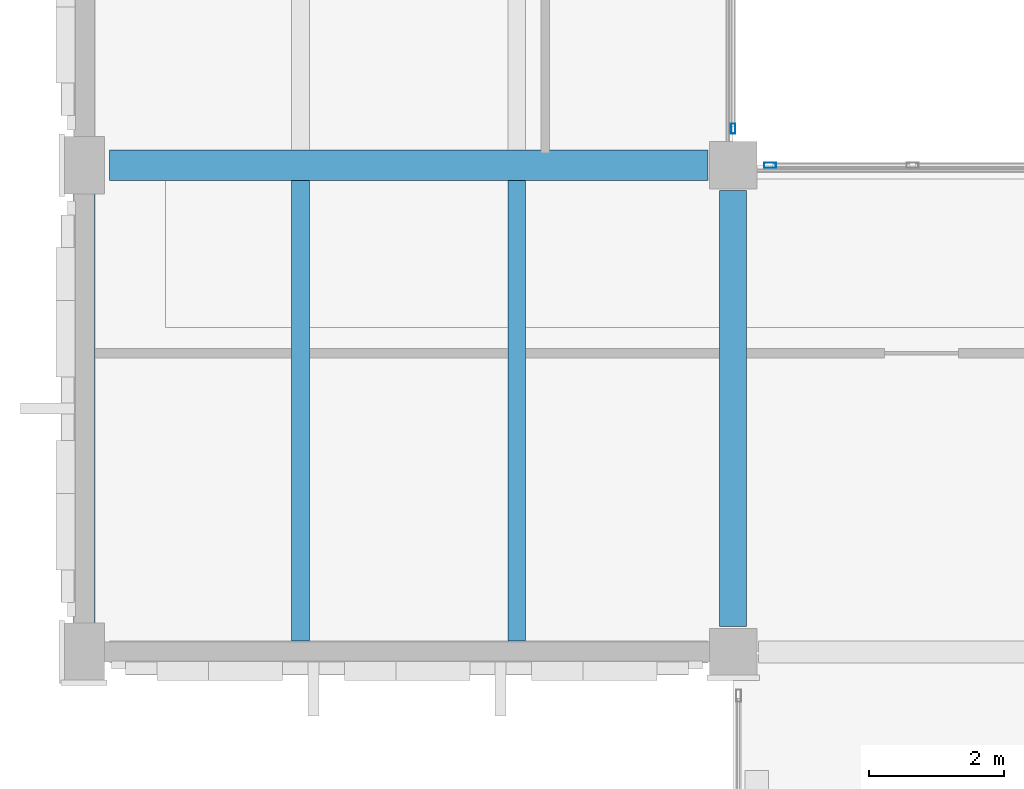
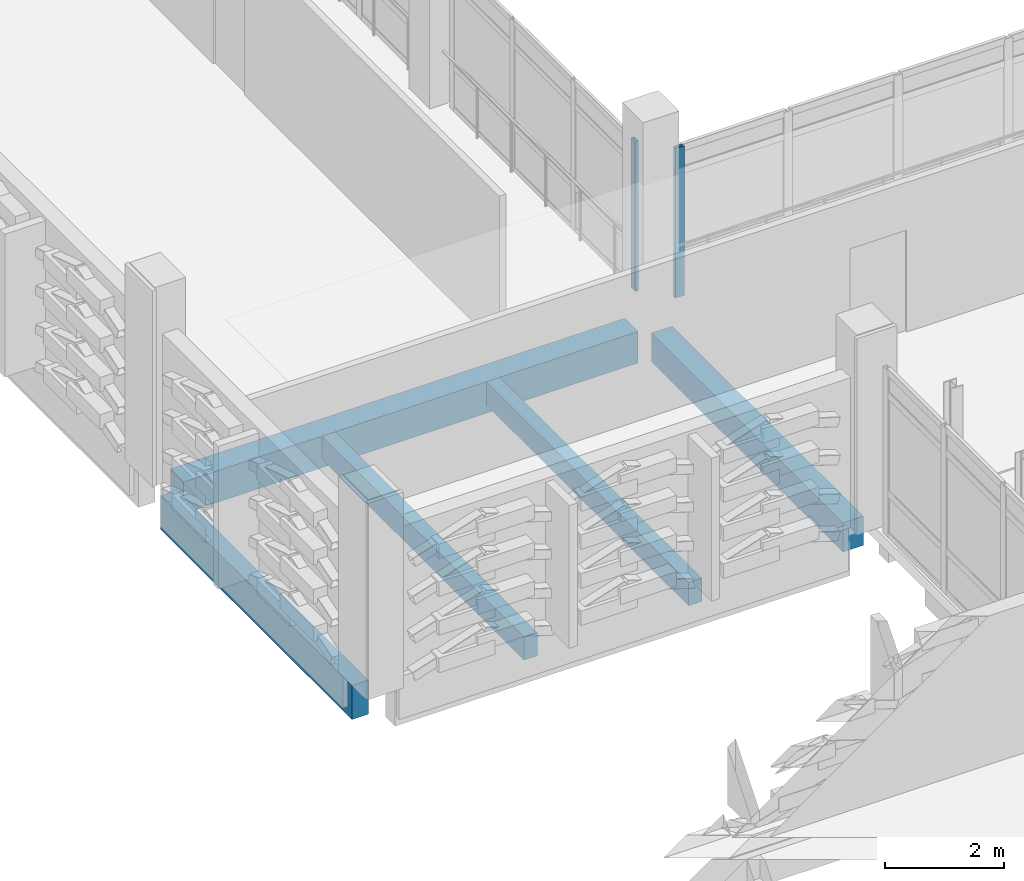
# One storey, part 36 of 134: 5 beams, 2 members, 2 elements without a shape of their own.
"""IFC4 building model written with IfcOpenShell, lengths in metres."""

from ifc_helpers import new_model, si_unit, direction, frame, origin, origin_2d, place, context, subcontext, project, spatial, rectangle, hollow_rectangle, extrude, material, layer, layer_set, material_profile, profile_set, type_object, element, aggregate, save


model = new_model("IFC4")

# Units and contexts
model_context = context("Model", 3, precision=1e-05, world=origin(), true_north=direction((0.0, 1.0)))
body_context = subcontext(model_context, "Body", "Model", "MODEL_VIEW")
ifc_project = project(units=[si_unit("LENGTHUNIT", "METRE"), si_unit("AREAUNIT", "SQUARE_METRE"), si_unit("VOLUMEUNIT", "CUBIC_METRE"), si_unit("PLANEANGLEUNIT", "RADIAN"), si_unit("MASSUNIT", "GRAM", prefix="KILO")], contexts=[model_context])

# Site, building, storey
site_placement = place(None, origin())
site = spatial("IfcSite", under=ifc_project, at=site_placement, CompositionType="ELEMENT")
building_placement = place(site_placement, origin())
building = spatial("IfcBuilding", under=site, at=building_placement, Name="Asteropetra Specialist Clinic", CompositionType="ELEMENT")
storey_placement = place(building_placement, frame((0.0, 0.0, 8.5)))
storey = spatial("IfcBuildingStorey", under=building, at=storey_placement, Name="L02", CompositionType="ELEMENT", Elevation=8.5)

# Beams
ifc_material_1 = material(Name="Concrete C35/45", Category="concrete")
ifc_material_profile_1 = material_profile(ifc_material_1, rectangle(XDim=0.39990234375, YDim=0.60009765625, at=origin_2d()), Name="RCB 400x600")
ifc_profile_set_1 = profile_set([ifc_material_profile_1], Name="Concrete C35/45")
beam_type_1 = type_object("IfcBeamType", Name="BM-RC400x600", PredefinedType="BEAM", material=ifc_profile_set_1)
beam_1_placement = place(storey_placement, frame((9.60009765625, 69.97509765625, -0.580078125), z_axis=(0.0, 1.0, 0.0), x_axis=(-1.0, 0.0, 0.0)))
element("IfcBeam", 1, at=beam_1_placement, inside=storey, type_object=beam_type_1, Name="Beam BBM08-1271", PredefinedType="BEAM", context=body_context, shape_type="SweptSolid", body=[
    extrude(rectangle(XDim=0.39990234375, YDim=0.60009765625, at=origin_2d()), origin(), (0.0, 0.0, 1.0), 6.449951171875),
])
ifc_material_2 = material(Name="Concrete C35/45", Category="concrete")
ifc_material_profile_2 = material_profile(ifc_material_2, rectangle(XDim=0.449951171875, YDim=0.64990234375, at=origin_2d()), Name="RCB 450x650")
ifc_profile_set_2 = profile_set([ifc_material_profile_2], Name="Concrete C35/45")
beam_type_2 = type_object("IfcBeamType", Name="BM-RC450x650", PredefinedType="BEAM", material=ifc_profile_set_2)
beam_2_placement = place(storey_placement, frame((0.375, 76.800048828125, -0.60498046875), z_axis=(1.0, 0.0, 0.0), x_axis=(0.0, 1.0, 0.0)))
element("IfcBeam", 2, at=beam_2_placement, inside=storey, type_object=beam_type_2, Name="Beam BBM06-1246", PredefinedType="BEAM", context=body_context, shape_type="SweptSolid", body=[
    extrude(rectangle(XDim=0.449951171875, YDim=0.64990234375, at=origin_2d()), origin(), (0.0, 0.0, 1.0), 8.85009765625),
])

# Curtain wall, member
ifc_material_3 = material(Name="Aluminium and low-E glass", Category="aluminium")
ifc_layer_1 = layer(ifc_material_3, 0.179931640625)
ifc_layer_set_1 = layer_set([ifc_layer_1], Name="Aluminium and low-E glass")
curtain_wall_type_1 = type_object("IfcCurtainWallType", Name="CW-SYS-04", PredefinedType="USERDEFINED", material=ifc_layer_set_1)
curtain_wall_1_placement = place(storey_placement, origin())
curtain_wall_1 = element("IfcCurtainWall", 3, at=curtain_wall_1_placement, inside=storey, type_object=curtain_wall_type_1, Name="Curtain Wall CW-037", ObjectType="UNITISED CURTAIN WALL", PredefinedType="USERDEFINED")
ifc_material_4 = material(Name="Aluminium 6063-T6", Category="aluminium")
ifc_material_profile_3 = material_profile(ifc_material_4, hollow_rectangle(XDim=0.06494140625, YDim=0.14990234375, WallThickness=0.00390625, InnerFilletRadius=0.00390625, OuterFilletRadius=0.008056640625, at=origin_2d()), Name="MUL 150x65x4.0")
ifc_profile_set_3 = profile_set([ifc_material_profile_3], Name="Aluminium 6063-T6")
member_type_1 = type_object("IfcMemberType", Name="CWM-150x65", PredefinedType="MULLION", material=ifc_profile_set_3)
member_1_placement = place(storey_placement, frame((9.60009765625, 77.342529296875, 0.0), z_axis=(0.0, 0.0, 1.0), x_axis=(1.0, 0.0, 0.0)))
member_1 = element("IfcMember", 4, at=member_1_placement, type_object=member_type_1, Name="CW-037 mullion 4", PredefinedType="MULLION", context=body_context, shape_type="SweptSolid", body=[
    extrude(hollow_rectangle(XDim=0.06494140625, YDim=0.14990234375, WallThickness=0.00390625, InnerFilletRadius=0.00390625, OuterFilletRadius=0.008056640625, at=origin_2d()), origin(), (0.0, 0.0, 1.0), 3.080078125),
])
aggregate(curtain_wall_1, [member_1])

ifc_material_5 = material(Name="Aluminium and low-E glass", Category="aluminium")
ifc_layer_2 = layer(ifc_material_5, 0.14990234375)
ifc_layer_set_2 = layer_set([ifc_layer_2], Name="Aluminium and low-E glass")
curtain_wall_type_2 = type_object("IfcCurtainWallType", Name="CW-SYS-02", PredefinedType="USERDEFINED", material=ifc_layer_set_2)
curtain_wall_2_placement = place(storey_placement, origin())
curtain_wall_2 = element("IfcCurtainWall", 5, at=curtain_wall_2_placement, inside=storey, type_object=curtain_wall_type_2, Name="Curtain Wall CW-033", ObjectType="UNITISED CURTAIN WALL", PredefinedType="USERDEFINED")
ifc_material_6 = material(Name="Aluminium 6063-T6", Category="aluminium")
ifc_material_profile_4 = material_profile(ifc_material_6, hollow_rectangle(XDim=0.074951171875, YDim=0.179931640625, WallThickness=0.00390625, InnerFilletRadius=0.00390625, OuterFilletRadius=0.008056640625, at=origin_2d()), Name="MUL 180x75x4.0")
ifc_profile_set_4 = profile_set([ifc_material_profile_4], Name="Aluminium 6063-T6")
member_type_2 = type_object("IfcMemberType", Name="CWM-180x75", PredefinedType="MULLION", material=ifc_profile_set_4)
member_2_placement = place(storey_placement, frame((10.1474609375, 76.800048828125, 0.0), z_axis=(0.0, 0.0, 1.0), x_axis=(0.0, 1.0, 0.0)))
member_2 = element("IfcMember", 6, at=member_2_placement, type_object=member_type_2, Name="CW-033 mullion 1", PredefinedType="MULLION", context=body_context, shape_type="SweptSolid", body=[
    extrude(hollow_rectangle(XDim=0.074951171875, YDim=0.179931640625, WallThickness=0.00390625, InnerFilletRadius=0.00390625, OuterFilletRadius=0.008056640625, at=origin_2d()), origin(), (0.0, 0.0, 1.0), 3.080078125),
])
aggregate(curtain_wall_2, [member_2])

# Beams
ifc_material_7 = material(Name="Concrete C35/45", Category="concrete")
ifc_material_profile_5 = material_profile(ifc_material_7, rectangle(XDim=0.260009765625, YDim=0.47998046875, at=origin_2d()), Name="RCJ 260x480")
ifc_profile_set_5 = profile_set([ifc_material_profile_5], Name="Concrete C35/45")
beam_type_3 = type_object("IfcBeamType", Name="JST-RC260x480", PredefinedType="JOIST", material=ifc_profile_set_5)
for number, where, z_axis, x_axis, name in (
    (7, (3.199951171875, 69.760009765625, -0.52001953125), (0.0, 1.0, 0.0), (-1.0, 0.0, 0.0), "Joist JJST02-1275"),
    (8, (6.39990234375, 69.760009765625, -0.52001953125), (0.0, 1.0, 0.0), (-1.0, 0.0, 0.0), "Joist JJST02-1276"),
):
    element("IfcBeam", number, at=place(storey_placement, frame(where, z_axis=z_axis, x_axis=x_axis)), inside=storey, type_object=beam_type_3, Name=name, PredefinedType="JOIST", context=body_context, shape_type="SweptSolid", body=[
        extrude(rectangle(XDim=0.260009765625, YDim=0.47998046875, at=origin_2d()), origin(), (0.0, 0.0, 1.0), 6.81494140625),
    ])
ifc_material_8 = material(Name="Concrete C35/45", Category="concrete")
ifc_material_profile_6 = material_profile(ifc_material_8, rectangle(XDim=0.320068359375, YDim=0.699951171875, at=origin_2d()), Name="RCS 320x700")
ifc_profile_set_6 = profile_set([ifc_material_profile_6], Name="Concrete C35/45")
beam_type_4 = type_object("IfcBeamType", Name="SPN-RC320x700", PredefinedType="SPANDREL", material=ifc_profile_set_6)
beam_3_placement = place(storey_placement, frame((0.0, 69.97509765625, -0.6298828125), z_axis=(0.0, 1.0, 0.0), x_axis=(-1.0, 0.0, 0.0)))
element("IfcBeam", 9, at=beam_3_placement, inside=storey, type_object=beam_type_4, Name="Beam BSPN02-1270", PredefinedType="SPANDREL", context=body_context, shape_type="SweptSolid", body=[
    extrude(rectangle(XDim=0.320068359375, YDim=0.699951171875, at=origin_2d()), origin(), (0.0, 0.0, 1.0), 6.449951171875),
])

save(model, "model.ifc")
